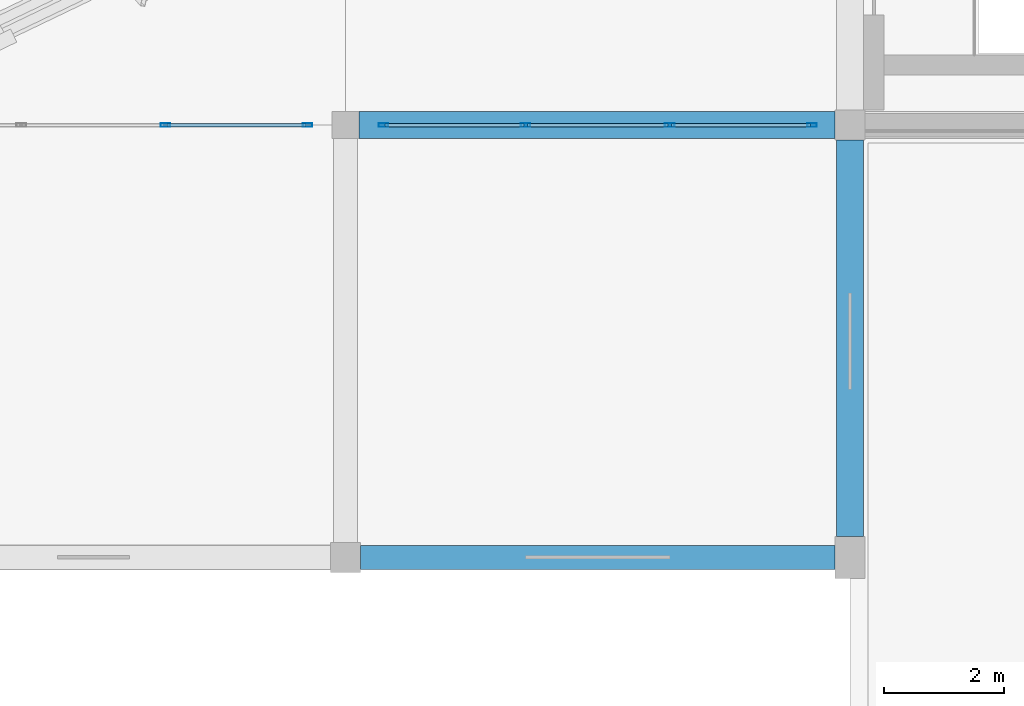
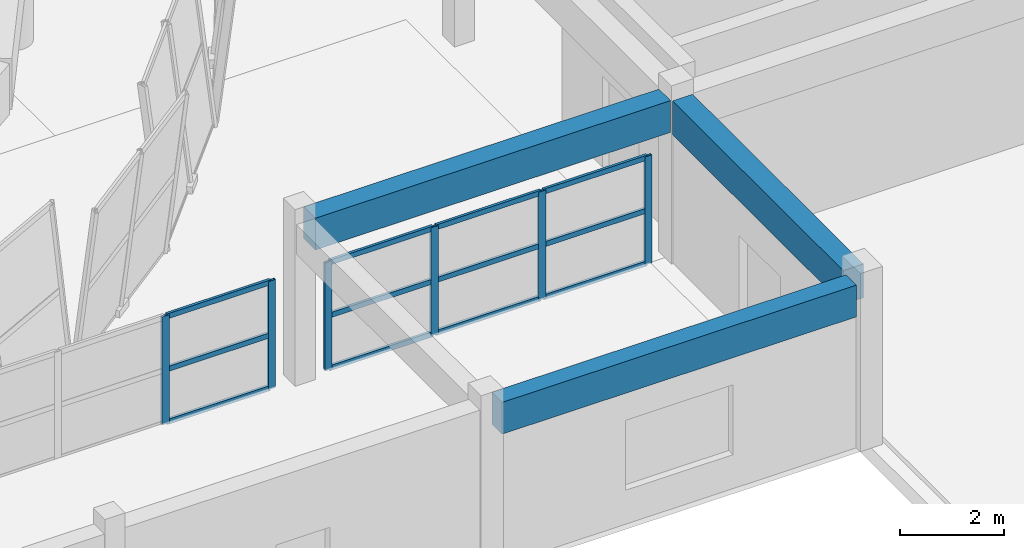
# One storey, part 18 of 40: 18 members, 3 beams, 2 elements without a shape of their own.
"""IFC4 building model written with IfcOpenShell, lengths in metres."""

from ifc_helpers import new_model, si_unit, direction, frame, origin, origin_2d, place, context, subcontext, project, spatial, rectangle, hollow_rectangle, extrude, material, material_profile, profile_set, type_object, element, aggregate, save


model = new_model("IFC4")

# Units and contexts
model_context = context("Model", 3, precision=1e-05, world=origin(), true_north=direction((0.0, 1.0)))
body_context = subcontext(model_context, "Body", "Model", "MODEL_VIEW")
ifc_project = project(units=[si_unit("LENGTHUNIT", "METRE"), si_unit("AREAUNIT", "SQUARE_METRE"), si_unit("VOLUMEUNIT", "CUBIC_METRE"), si_unit("PLANEANGLEUNIT", "RADIAN"), si_unit("MASSUNIT", "GRAM", prefix="KILO")], contexts=[model_context])

# Site, building, storey
site_placement = place(None, origin())
site = spatial("IfcSite", under=ifc_project, at=site_placement, CompositionType="ELEMENT")
building_placement = place(site_placement, origin())
building = spatial("IfcBuilding", under=site, at=building_placement, Name="Korsvaeld Concert Hall", CompositionType="ELEMENT")
storey_placement = place(building_placement, frame((0.0, 0.0, 13.199951171875)))
storey = spatial("IfcBuildingStorey", under=building, at=storey_placement, Name="L03", CompositionType="ELEMENT", Elevation=13.199951171875)

# Beams
ifc_material_1 = material(Name="Concrete C35/45", Category="concrete")
ifc_material_profile_1 = material_profile(ifc_material_1, rectangle(XDim=0.39990234375, YDim=0.75, at=origin_2d()), Name="RC 400x750")
ifc_profile_set_1 = profile_set([ifc_material_profile_1], Name="Concrete C35/45")
beam_type_1 = type_object("IfcBeamType", Name="BM-RC-400x750", PredefinedType="T_BEAM", material=ifc_profile_set_1)
beam_1_placement = place(storey_placement, frame((101.050048828125, 36.0, 3.465087890625), z_axis=(1.0, 0.0, 0.0), x_axis=(0.0, 1.0, 0.0)))
element("IfcBeam", 1, at=beam_1_placement, inside=storey, type_object=beam_type_1, Name="Primary girder 14-15/F L03", PredefinedType="T_BEAM", context=body_context, shape_type="SweptSolid", body=[
    extrude(rectangle(XDim=0.39990234375, YDim=0.75, at=origin_2d()), origin(), (0.0, 0.0, 1.0), 7.89990234375),
])
ifc_material_profile_2 = material_profile(ifc_material_1, rectangle(XDim=0.449951171875, YDim=0.75, at=origin_2d()), Name="RC 450x750")
ifc_profile_set_2 = profile_set([ifc_material_profile_2], Name="Concrete C35/45")
beam_type_2 = type_object("IfcBeamType", Name="BM-RC-450x750", PredefinedType="T_BEAM", material=ifc_profile_set_2)
beam_2_placement = place(storey_placement, frame((101.02490234375, 43.199951171875, 3.465087890625), z_axis=(1.0, 0.0, 0.0), x_axis=(0.0, 1.0, 0.0)))
element("IfcBeam", 2, at=beam_2_placement, inside=storey, type_object=beam_type_2, Name="Primary girder 14-15/G L03", PredefinedType="T_BEAM", context=body_context, shape_type="SweptSolid", body=[
    extrude(rectangle(XDim=0.449951171875, YDim=0.75, at=origin_2d()), origin(), (0.0, 0.0, 1.0), 7.925048828125),
])
ifc_material_profile_3 = material_profile(ifc_material_1, rectangle(XDim=0.449951171875, YDim=0.800048828125, at=origin_2d()), Name="RC 450x800")
ifc_profile_set_3 = profile_set([ifc_material_profile_3], Name="Concrete C35/45")
beam_type_3 = type_object("IfcBeamType", Name="BM-RC-450x800", PredefinedType="T_BEAM", material=ifc_profile_set_3)
beam_3_placement = place(storey_placement, frame((109.199951171875, 36.35009765625, 3.43994140625), z_axis=(0.0, 1.0, 0.0), x_axis=(-1.0, 0.0, 0.0)))
element("IfcBeam", 3, at=beam_3_placement, inside=storey, type_object=beam_type_3, Name="Primary girder 15/F-G L03", PredefinedType="T_BEAM", context=body_context, shape_type="SweptSolid", body=[
    extrude(rectangle(XDim=0.449951171875, YDim=0.800048828125, at=origin_2d()), origin(), (0.0, 0.0, 1.0), 6.599853515625),
])

# Curtain wall, members
ifc_material_2 = material(Name="Anodised bronze and ceramic-fritted safety glass", Category="glass")
curtain_wall_type_1 = type_object("IfcCurtainWallType", Name="CW-TYPE-09", PredefinedType="USERDEFINED", material=ifc_material_2)
curtain_wall_1_placement = place(storey_placement, origin())
curtain_wall_1 = element("IfcCurtainWall", 4, at=curtain_wall_1_placement, inside=storey, type_object=curtain_wall_type_1, Name="Glazed foyer acoustic screen L03-41", ObjectType="CURTAIN WALL", PredefinedType="USERDEFINED")
ifc_material_3 = material(Name="Anodised architectural bronze aluminium", Category="aluminium")
ifc_material_profile_4 = material_profile(ifc_material_3, hollow_rectangle(XDim=0.06005859375, YDim=0.159912109375, WallThickness=0.00390625, at=origin_2d()), Name="CWM 160x60x4")
ifc_profile_set_4 = profile_set([ifc_material_profile_4], Name="Anodised architectural bronze aluminium")
member_type_1 = type_object("IfcMemberType", Name="CWM-ALUM-160x60", PredefinedType="MULLION", material=ifc_profile_set_4)
member_1_placement = place(storey_placement, frame((97.800048828125, 43.199951171875, 0.0), z_axis=(0.0, 0.0, 1.0), x_axis=(0.0, 1.0, 0.0)))
member_1 = element("IfcMember", 5, at=member_1_placement, type_object=member_type_1, Name="CW-09 mullion 3", PredefinedType="MULLION", context=body_context, shape_type="SweptSolid", body=[
    extrude(hollow_rectangle(XDim=0.06005859375, YDim=0.159912109375, WallThickness=0.00390625, at=origin_2d()), origin(), (0.0, 0.0, 1.0), 2.550048828125),
])
member_2_placement = place(storey_placement, frame((100.169921875, 43.199951171875, 0.0), z_axis=(0.0, 0.0, 1.0), x_axis=(0.0, 1.0, 0.0)))
member_2 = element("IfcMember", 6, at=member_2_placement, type_object=member_type_1, Name="CW-09 mullion 4", PredefinedType="MULLION", context=body_context, shape_type="SweptSolid", body=[
    extrude(hollow_rectangle(XDim=0.06005859375, YDim=0.159912109375, WallThickness=0.00390625, at=origin_2d()), origin(), (0.0, 0.0, 1.0), 2.550048828125),
])

curtain_wall_type_2 = type_object("IfcCurtainWallType", Name="CW-TYPE-10", PredefinedType="USERDEFINED", material=ifc_material_2)
curtain_wall_2_placement = place(storey_placement, origin())
curtain_wall_2 = element("IfcCurtainWall", 7, at=curtain_wall_2_placement, inside=storey, type_object=curtain_wall_type_2, Name="Glazed foyer acoustic screen L03-42", ObjectType="CURTAIN WALL", PredefinedType="USERDEFINED")
member_3_placement = place(storey_placement, frame((101.429931640625, 43.199951171875, 0.0), z_axis=(0.0, 0.0, 1.0), x_axis=(0.0, 1.0, 0.0)))
member_3 = element("IfcMember", 8, at=member_3_placement, type_object=member_type_1, Name="CW-10 mullion 1", PredefinedType="MULLION", context=body_context, shape_type="SweptSolid", body=[
    extrude(hollow_rectangle(XDim=0.06005859375, YDim=0.159912109375, WallThickness=0.00390625, at=origin_2d()), origin(), (0.0, 0.0, 1.0), 2.550048828125),
])
member_4_placement = place(storey_placement, frame((103.800048828125, 43.199951171875, 0.0), z_axis=(0.0, 0.0, 1.0), x_axis=(0.0, 1.0, 0.0)))
member_4 = element("IfcMember", 9, at=member_4_placement, type_object=member_type_1, Name="CW-10 mullion 2", PredefinedType="MULLION", context=body_context, shape_type="SweptSolid", body=[
    extrude(hollow_rectangle(XDim=0.06005859375, YDim=0.159912109375, WallThickness=0.00390625, at=origin_2d()), origin(), (0.0, 0.0, 1.0), 2.550048828125),
])
member_5_placement = place(storey_placement, frame((106.199951171875, 43.199951171875, 0.0), z_axis=(0.0, 0.0, 1.0), x_axis=(0.0, 1.0, 0.0)))
member_5 = element("IfcMember", 10, at=member_5_placement, type_object=member_type_1, Name="CW-10 mullion 3", PredefinedType="MULLION", context=body_context, shape_type="SweptSolid", body=[
    extrude(hollow_rectangle(XDim=0.06005859375, YDim=0.159912109375, WallThickness=0.00390625, at=origin_2d()), origin(), (0.0, 0.0, 1.0), 2.550048828125),
])
member_6_placement = place(storey_placement, frame((108.570068359375, 43.199951171875, 0.0), z_axis=(0.0, 0.0, 1.0), x_axis=(0.0, 1.0, 0.0)))
member_6 = element("IfcMember", 11, at=member_6_placement, type_object=member_type_1, Name="CW-10 mullion 4", PredefinedType="MULLION", context=body_context, shape_type="SweptSolid", body=[
    extrude(hollow_rectangle(XDim=0.06005859375, YDim=0.159912109375, WallThickness=0.00390625, at=origin_2d()), origin(), (0.0, 0.0, 1.0), 2.550048828125),
])

# Member
ifc_material_profile_5 = material_profile(ifc_material_3, hollow_rectangle(XDim=0.06005859375, YDim=0.1201171875, WallThickness=0.00390625, at=origin_2d()), Name="CWT 120x60x4")
ifc_profile_set_5 = profile_set([ifc_material_profile_5], Name="Anodised architectural bronze aluminium")
member_type_2 = type_object("IfcMemberType", Name="CWT-ALUM-120x60", PredefinedType="USERDEFINED", material=ifc_profile_set_5)
member_7_placement = place(storey_placement, frame((97.830078125, 43.199951171875, 0.030029296875), z_axis=(1.0, 0.0, 0.0), x_axis=(0.0, 1.0, 0.0)))
member_7 = element("IfcMember", 12, at=member_7_placement, type_object=member_type_2, Name="CW-09 transom 3.1", ObjectType="TRANSOM", PredefinedType="USERDEFINED", context=body_context, shape_type="SweptSolid", body=[
    extrude(hollow_rectangle(XDim=0.06005859375, YDim=0.1201171875, WallThickness=0.00390625, at=origin_2d()), origin(), (0.0, 0.0, 1.0), 2.309814453125),
])

member_8_placement = place(storey_placement, frame((97.830078125, 43.199951171875, 1.275146484375), z_axis=(1.0, 0.0, 0.0), x_axis=(0.0, 1.0, 0.0)))
member_8 = element("IfcMember", 13, at=member_8_placement, type_object=member_type_2, Name="CW-09 transom 3.2", ObjectType="TRANSOM", PredefinedType="USERDEFINED", context=body_context, shape_type="SweptSolid", body=[
    extrude(hollow_rectangle(XDim=0.06005859375, YDim=0.1201171875, WallThickness=0.00390625, at=origin_2d()), origin(), (0.0, 0.0, 1.0), 2.309814453125),
])

member_9_placement = place(storey_placement, frame((97.830078125, 43.199951171875, 2.52001953125), z_axis=(1.0, 0.0, 0.0), x_axis=(0.0, 1.0, 0.0)))
member_9 = element("IfcMember", 14, at=member_9_placement, type_object=member_type_2, Name="CW-09 transom 3.3", ObjectType="TRANSOM", PredefinedType="USERDEFINED", context=body_context, shape_type="SweptSolid", body=[
    extrude(hollow_rectangle(XDim=0.06005859375, YDim=0.1201171875, WallThickness=0.00390625, at=origin_2d()), origin(), (0.0, 0.0, 1.0), 2.309814453125),
])

aggregate(curtain_wall_1, [member_1, member_2, member_7, member_8, member_9])

member_10_placement = place(storey_placement, frame((101.4599609375, 43.199951171875, 0.030029296875), z_axis=(1.0, 0.0, 0.0), x_axis=(0.0, 1.0, 0.0)))
member_10 = element("IfcMember", 15, at=member_10_placement, type_object=member_type_2, Name="CW-10 transom 1.1", ObjectType="TRANSOM", PredefinedType="USERDEFINED", context=body_context, shape_type="SweptSolid", body=[
    extrude(hollow_rectangle(XDim=0.06005859375, YDim=0.1201171875, WallThickness=0.00390625, at=origin_2d()), origin(), (0.0, 0.0, 1.0), 2.31005859375),
])

member_11_placement = place(storey_placement, frame((101.4599609375, 43.199951171875, 1.275146484375), z_axis=(1.0, 0.0, 0.0), x_axis=(0.0, 1.0, 0.0)))
member_11 = element("IfcMember", 16, at=member_11_placement, type_object=member_type_2, Name="CW-10 transom 1.2", ObjectType="TRANSOM", PredefinedType="USERDEFINED", context=body_context, shape_type="SweptSolid", body=[
    extrude(hollow_rectangle(XDim=0.06005859375, YDim=0.1201171875, WallThickness=0.00390625, at=origin_2d()), origin(), (0.0, 0.0, 1.0), 2.31005859375),
])

member_12_placement = place(storey_placement, frame((101.4599609375, 43.199951171875, 2.52001953125), z_axis=(1.0, 0.0, 0.0), x_axis=(0.0, 1.0, 0.0)))
member_12 = element("IfcMember", 17, at=member_12_placement, type_object=member_type_2, Name="CW-10 transom 1.3", ObjectType="TRANSOM", PredefinedType="USERDEFINED", context=body_context, shape_type="SweptSolid", body=[
    extrude(hollow_rectangle(XDim=0.06005859375, YDim=0.1201171875, WallThickness=0.00390625, at=origin_2d()), origin(), (0.0, 0.0, 1.0), 2.31005859375),
])

member_13_placement = place(storey_placement, frame((103.830078125, 43.199951171875, 0.030029296875), z_axis=(1.0, 0.0, 0.0), x_axis=(0.0, 1.0, 0.0)))
member_13 = element("IfcMember", 18, at=member_13_placement, type_object=member_type_2, Name="CW-10 transom 2.1", ObjectType="TRANSOM", PredefinedType="USERDEFINED", context=body_context, shape_type="SweptSolid", body=[
    extrude(hollow_rectangle(XDim=0.06005859375, YDim=0.1201171875, WallThickness=0.00390625, at=origin_2d()), origin(), (0.0, 0.0, 1.0), 2.33984375),
])

member_14_placement = place(storey_placement, frame((103.830078125, 43.199951171875, 1.275146484375), z_axis=(1.0, 0.0, 0.0), x_axis=(0.0, 1.0, 0.0)))
member_14 = element("IfcMember", 19, at=member_14_placement, type_object=member_type_2, Name="CW-10 transom 2.2", ObjectType="TRANSOM", PredefinedType="USERDEFINED", context=body_context, shape_type="SweptSolid", body=[
    extrude(hollow_rectangle(XDim=0.06005859375, YDim=0.1201171875, WallThickness=0.00390625, at=origin_2d()), origin(), (0.0, 0.0, 1.0), 2.33984375),
])

member_15_placement = place(storey_placement, frame((103.830078125, 43.199951171875, 2.52001953125), z_axis=(1.0, 0.0, 0.0), x_axis=(0.0, 1.0, 0.0)))
member_15 = element("IfcMember", 20, at=member_15_placement, type_object=member_type_2, Name="CW-10 transom 2.3", ObjectType="TRANSOM", PredefinedType="USERDEFINED", context=body_context, shape_type="SweptSolid", body=[
    extrude(hollow_rectangle(XDim=0.06005859375, YDim=0.1201171875, WallThickness=0.00390625, at=origin_2d()), origin(), (0.0, 0.0, 1.0), 2.33984375),
])

member_16_placement = place(storey_placement, frame((106.22998046875, 43.199951171875, 0.030029296875), z_axis=(1.0, 0.0, 0.0), x_axis=(0.0, 1.0, 0.0)))
member_16 = element("IfcMember", 21, at=member_16_placement, type_object=member_type_2, Name="CW-10 transom 3.1", ObjectType="TRANSOM", PredefinedType="USERDEFINED", context=body_context, shape_type="SweptSolid", body=[
    extrude(hollow_rectangle(XDim=0.06005859375, YDim=0.1201171875, WallThickness=0.00390625, at=origin_2d()), origin(), (0.0, 0.0, 1.0), 2.31005859375),
])

member_17_placement = place(storey_placement, frame((106.22998046875, 43.199951171875, 1.275146484375), z_axis=(1.0, 0.0, 0.0), x_axis=(0.0, 1.0, 0.0)))
member_17 = element("IfcMember", 22, at=member_17_placement, type_object=member_type_2, Name="CW-10 transom 3.2", ObjectType="TRANSOM", PredefinedType="USERDEFINED", context=body_context, shape_type="SweptSolid", body=[
    extrude(hollow_rectangle(XDim=0.06005859375, YDim=0.1201171875, WallThickness=0.00390625, at=origin_2d()), origin(), (0.0, 0.0, 1.0), 2.31005859375),
])

member_18_placement = place(storey_placement, frame((106.22998046875, 43.199951171875, 2.52001953125), z_axis=(1.0, 0.0, 0.0), x_axis=(0.0, 1.0, 0.0)))
member_18 = element("IfcMember", 23, at=member_18_placement, type_object=member_type_2, Name="CW-10 transom 3.3", ObjectType="TRANSOM", PredefinedType="USERDEFINED", context=body_context, shape_type="SweptSolid", body=[
    extrude(hollow_rectangle(XDim=0.06005859375, YDim=0.1201171875, WallThickness=0.00390625, at=origin_2d()), origin(), (0.0, 0.0, 1.0), 2.31005859375),
])

aggregate(curtain_wall_2, [member_3, member_4, member_5, member_6, member_10, member_11, member_12, member_13, member_14, member_15, member_16, member_17, member_18])

save(model, "model.ifc")
